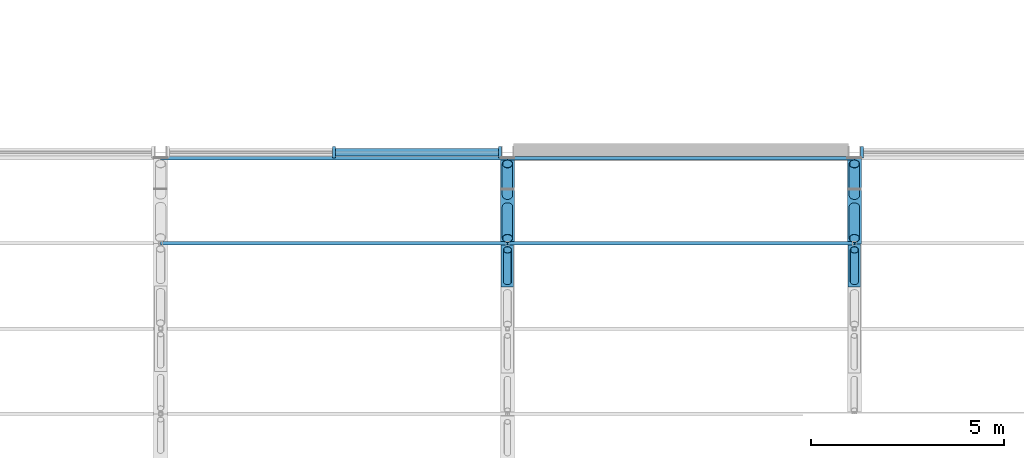
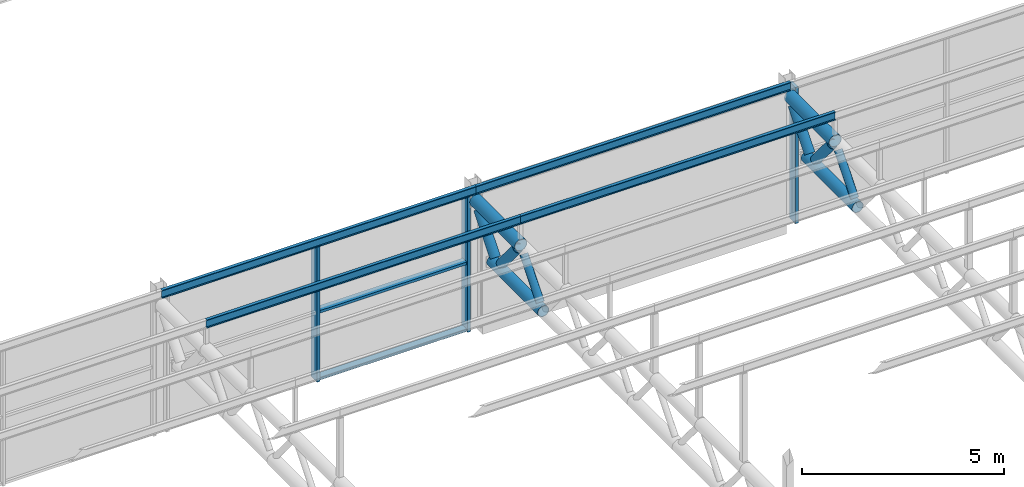
# One storey, part 56 of 138: 20 members, 2 elements without a shape of their own.
"""IFC4 building model written with IfcOpenShell, lengths in metres."""

from ifc_helpers import new_model, si_unit, direction, frame, origin, origin_2d, place, context, subcontext, project, spatial, rectangle, hollow_circle, i_section, extrude, material, layer, layer_set, material_profile, profile_set, type_object, element, aggregate, save


model = new_model("IFC4")

# Units and contexts
model_context = context("Model", 3, precision=1e-05, world=origin(), true_north=direction((0.0, 1.0)))
body_context = subcontext(model_context, "Body", "Model", "MODEL_VIEW")
ifc_project = project(units=[si_unit("LENGTHUNIT", "METRE"), si_unit("AREAUNIT", "SQUARE_METRE"), si_unit("VOLUMEUNIT", "CUBIC_METRE"), si_unit("PLANEANGLEUNIT", "RADIAN"), si_unit("MASSUNIT", "GRAM", prefix="KILO")], contexts=[model_context])

# Site, building, storey
site_placement = place(None, origin())
site = spatial("IfcSite", under=ifc_project, at=site_placement, CompositionType="ELEMENT")
building_placement = place(site_placement, origin())
building = spatial("IfcBuilding", under=site, at=building_placement, Name="Corbel Yard City Hall", CompositionType="ELEMENT")
storey_placement = place(building_placement, frame((0.0, 0.0, 10.5)))
storey = spatial("IfcBuildingStorey", under=building, at=storey_placement, Name="L02", CompositionType="ELEMENT", Elevation=10.5)

# Members
ifc_material_1 = material(Name="Steel Grade 300 (300 MPa yield)", Category="steel")
ifc_material_profile_1 = material_profile(ifc_material_1, i_section(OverallWidth=0.090087890625, OverallDepth=0.25, WebThickness=0.008056640625, FlangeThickness=0.014892578125, at=origin_2d()), Name="250PFC")
ifc_profile_set_1 = profile_set([ifc_material_profile_1], Name="Steel Grade 300 (300 MPa yield)")
member_type_1 = type_object("IfcMemberType", Name="Eaves purlin 250PFC", PredefinedType="PURLIN", material=ifc_profile_set_1)
for number, where, z_axis, x_axis, name in (
    (1, (108.0, 26.847412109375, 4.24658203125), (1.0, 0.0, 0.0), (0.0, 1.0, 0.0), "Eaves purlin 250PFC PU2"),
    (2, (117.0, 26.847412109375, 4.24658203125), (1.0, 0.0, 0.0), (0.0, 1.0, 0.0), "Eaves purlin 250PFC PU2"),
):
    element("IfcMember", number, at=place(storey_placement, frame(where, z_axis=z_axis, x_axis=x_axis)), inside=storey, type_object=member_type_1, Name=name, PredefinedType="PURLIN", context=body_context, shape_type="SweptSolid", body=[
        extrude(i_section(OverallWidth=0.090087890625, OverallDepth=0.25, WebThickness=0.008056640625, FlangeThickness=0.014892578125, at=origin_2d()), origin(), (0.0, 0.0, 1.0), 9.0),
    ])
ifc_material_2 = material(Name="Steel Grade C350L0", Category="steel")
ifc_material_profile_2 = material_profile(ifc_material_2, hollow_circle(Radius=0.161865234375, WallThickness=0.0126953125, at=origin_2d()), Name="323.9x12.7CHS")
ifc_profile_set_2 = profile_set([ifc_material_profile_2], Name="Steel Grade C350L0")
member_type_2 = type_object("IfcMemberType", Name="Hall roof truss bottom chord 323.9x12.7CHS", PredefinedType="CHORD", material=ifc_profile_set_2)
for number, where, z_axis, x_axis, name in (
    (3, (117.0, 23.5009765625, 2.59228515625), (0.0, 1.0, 0.0), (-1.0, 0.0, 0.0), "Hall roof truss bottom chord 323.9x12.7CHS TC2"),
    (4, (126.0, 23.5009765625, 2.59228515625), (0.0, 1.0, 0.0), (-1.0, 0.0, 0.0), "Hall roof truss bottom chord 323.9x12.7CHS TC2"),
):
    element("IfcMember", number, at=place(storey_placement, frame(where, z_axis=z_axis, x_axis=x_axis)), inside=storey, type_object=member_type_2, Name=name, PredefinedType="CHORD", context=body_context, shape_type="SweptSolid", body=[
        extrude(hollow_circle(Radius=0.161865234375, WallThickness=0.0126953125, at=origin_2d()), origin(), (0.0, 0.0, 1.0), 2.531005859375),
    ])
ifc_material_profile_3 = material_profile(ifc_material_2, hollow_circle(Radius=0.109619140625, WallThickness=0.00830078125, at=origin_2d()), Name="219.1x8.2CHS")
ifc_profile_set_3 = profile_set([ifc_material_profile_3], Name="Steel Grade C350L0")
member_type_3 = type_object("IfcMemberType", Name="Hall roof truss diagonal 219.1x8.2CHS", PredefinedType="STRUT", material=ifc_profile_set_3)
for number, where, z_axis, x_axis, name in (
    (5, (117.0, 23.650146484375, 2.77001953125), (0.0, 0.642692233301, 0.766124463292), (-1.0, 0.0, 0.0), "Hall roof truss diagonal 219.1x8.2CHS TD2"),
    (6, (126.0, 23.650146484375, 2.77001953125), (0.0, 0.642692233301, 0.766124463292), (-1.0, 0.0, 0.0), "Hall roof truss diagonal 219.1x8.2CHS TD2"),
):
    element("IfcMember", number, at=place(storey_placement, frame(where, z_axis=z_axis, x_axis=x_axis)), inside=storey, type_object=member_type_3, Name=name, PredefinedType="STRUT", context=body_context, shape_type="SweptSolid", body=[
        extrude(hollow_circle(Radius=0.109619140625, WallThickness=0.00830078125, at=origin_2d()), origin(), (0.0, 0.0, 1.0), 1.271728515625),
    ])
ifc_material_profile_4 = material_profile(ifc_material_2, hollow_circle(Radius=0.136474609375, WallThickness=0.00927734375, at=origin_2d()), Name="273.1x9.3CHS")
ifc_profile_set_4 = profile_set([ifc_material_profile_4], Name="Steel Grade C350L0")
member_type_4 = type_object("IfcMemberType", Name="Hall roof truss diagonal 273.1x9.3CHS", PredefinedType="STRUT", material=ifc_profile_set_4)
for number, where, z_axis, x_axis, name in (
    (7, (117.0, 24.765625, 3.744384765625), (0.0, 0.642692233301, -0.766124463292), (-1.0, 0.0, 0.0), "Hall roof truss diagonal 273.1x9.3CHS TD1"),
    (8, (117.0, 25.881103515625, 2.77001953125), (0.0, 0.642692233301, 0.766124463292), (-1.0, 0.0, 0.0), "Hall roof truss diagonal 273.1x9.3CHS TD1"),
    (9, (126.0, 24.765625, 3.744384765625), (0.0, 0.642692233301, -0.766124463292), (-1.0, 0.0, 0.0), "Hall roof truss diagonal 273.1x9.3CHS TD1"),
    (10, (126.0, 25.881103515625, 2.77001953125), (0.0, 0.642692233301, 0.766124463292), (-1.0, 0.0, 0.0), "Hall roof truss diagonal 273.1x9.3CHS TD1"),
):
    element("IfcMember", number, at=place(storey_placement, frame(where, z_axis=z_axis, x_axis=x_axis)), inside=storey, type_object=member_type_4, Name=name, PredefinedType="STRUT", context=body_context, shape_type="SweptSolid", body=[
        extrude(hollow_circle(Radius=0.136474609375, WallThickness=0.00927734375, at=origin_2d()), origin(), (0.0, 0.0, 1.0), 1.271728515625),
    ])
ifc_material_profile_5 = material_profile(ifc_material_2, hollow_circle(Radius=0.177734375, WallThickness=0.0126953125, at=origin_2d()), Name="355.6x12.7CHS")
ifc_profile_set_5 = profile_set([ifc_material_profile_5], Name="Steel Grade C350L0")
member_type_5 = type_object("IfcMemberType", Name="Hall roof truss top chord 355.6x12.7CHS", PredefinedType="CHORD", material=ifc_profile_set_5)
for number, where, z_axis, x_axis, name in (
    (11, (117.0, 24.616455078125, 3.922119140625), (0.0, 1.0, 0.0), (-1.0, 0.0, 0.0), "Hall roof truss top chord 355.6x12.7CHS TC1"),
    (12, (126.0, 24.616455078125, 3.922119140625), (0.0, 1.0, 0.0), (-1.0, 0.0, 0.0), "Hall roof truss top chord 355.6x12.7CHS TC1"),
):
    element("IfcMember", number, at=place(storey_placement, frame(where, z_axis=z_axis, x_axis=x_axis)), inside=storey, type_object=member_type_5, Name=name, PredefinedType="CHORD", context=body_context, shape_type="SweptSolid", body=[
        extrude(hollow_circle(Radius=0.177734375, WallThickness=0.0126953125, at=origin_2d()), origin(), (0.0, 0.0, 1.0), 2.23095703125),
    ])

# Curtain wall, members
ifc_material_3 = material(Name="Aluminium extrusion", Category="aluminium")
ifc_layer = layer(ifc_material_3, 0.300048828125)
ifc_layer_set = layer_set([ifc_layer], Name="Aluminium extrusion")
curtain_wall_type = type_object("IfcCurtainWallType", Name="CW7", PredefinedType="USERDEFINED", material=ifc_layer_set)
curtain_wall_1_placement = place(storey_placement, origin())
curtain_wall_1 = element("IfcCurtainWall", 13, at=curtain_wall_1_placement, inside=storey, type_object=curtain_wall_type, Name="Curtain wall CW7 L02", ObjectType="CURTAIN WALL", PredefinedType="USERDEFINED")
ifc_material_profile_6 = material_profile(ifc_material_3, rectangle(XDim=0.300048828125, YDim=0.080078125, at=origin_2d()), Name="300x80")
ifc_profile_set_6 = profile_set([ifc_material_profile_6], Name="Aluminium extrusion")
member_type_6 = type_object("IfcMemberType", Name="ML7", PredefinedType="MULLION", material=ifc_profile_set_6)
member_1_placement = place(storey_placement, frame((112.5, 27.0, 0.0), z_axis=(0.0, 0.0, 1.0), x_axis=(0.0, 1.0, 0.0)))
member_1 = element("IfcMember", 14, at=member_1_placement, type_object=member_type_6, Name="CW7 mullion 2", PredefinedType="MULLION", context=body_context, shape_type="SweptSolid", body=[
    extrude(rectangle(XDim=0.300048828125, YDim=0.080078125, at=origin_2d()), origin(), (0.0, 0.0, 1.0), 4.12158203125),
])
member_2_placement = place(storey_placement, frame((116.805908203125, 27.0, 0.0), z_axis=(0.0, 0.0, 1.0), x_axis=(0.0, 1.0, 0.0)))
member_2 = element("IfcMember", 15, at=member_2_placement, type_object=member_type_6, Name="CW7 mullion 3", PredefinedType="MULLION", context=body_context, shape_type="SweptSolid", body=[
    extrude(rectangle(XDim=0.300048828125, YDim=0.080078125, at=origin_2d()), origin(), (0.0, 0.0, 1.0), 4.12158203125),
])

# Curtain wall, member
curtain_wall_2_placement = place(storey_placement, origin())
curtain_wall_2 = element("IfcCurtainWall", 16, at=curtain_wall_2_placement, inside=storey, type_object=curtain_wall_type, Name="Curtain wall CW7 L02", ObjectType="CURTAIN WALL", PredefinedType="USERDEFINED")
member_3_placement = place(storey_placement, frame((126.194091796875, 27.0, 0.0), z_axis=(0.0, 0.0, 1.0), x_axis=(0.0, 1.0, 0.0)))
member_3 = element("IfcMember", 17, at=member_3_placement, type_object=member_type_6, Name="CW7 mullion 1", PredefinedType="MULLION", context=body_context, shape_type="SweptSolid", body=[
    extrude(rectangle(XDim=0.300048828125, YDim=0.080078125, at=origin_2d()), origin(), (0.0, 0.0, 1.0), 4.12158203125),
])
aggregate(curtain_wall_2, [member_3])

# Members
ifc_material_profile_7 = material_profile(ifc_material_1, i_section(OverallWidth=0.090087890625, OverallDepth=0.25, WebThickness=0.008056640625, FlangeThickness=0.014892578125, at=origin_2d()), Name="250PFC")
ifc_profile_set_7 = profile_set([ifc_material_profile_7], Name="Steel Grade 300 (300 MPa yield)")
member_type_7 = type_object("IfcMemberType", Name="Purlin 250PFC", PredefinedType="PURLIN", material=ifc_profile_set_7)
for number, where, z_axis, x_axis, name in (
    (18, (108.0, 24.6357421875, 4.68896484375), (1.0, 0.0, 0.0), (0.0, 1.0, 0.0), "Purlin 250PFC PU1"),
    (19, (117.0, 24.6357421875, 4.68896484375), (1.0, 0.0, 0.0), (0.0, 1.0, 0.0), "Purlin 250PFC PU1"),
):
    element("IfcMember", number, at=place(storey_placement, frame(where, z_axis=z_axis, x_axis=x_axis)), inside=storey, type_object=member_type_7, Name=name, PredefinedType="PURLIN", context=body_context, shape_type="SweptSolid", body=[
        extrude(i_section(OverallWidth=0.090087890625, OverallDepth=0.25, WebThickness=0.008056640625, FlangeThickness=0.014892578125, at=origin_2d()), origin(), (0.0, 0.0, 1.0), 9.0),
    ])

# Member
ifc_material_profile_8 = material_profile(ifc_material_3, rectangle(XDim=0.199951171875, YDim=0.080078125, at=origin_2d()), Name="200x80")
ifc_profile_set_8 = profile_set([ifc_material_profile_8], Name="Aluminium extrusion")
member_type_8 = type_object("IfcMemberType", Name="TR7", PredefinedType="USERDEFINED", material=ifc_profile_set_8)
member_4_placement = place(storey_placement, frame((112.5400390625, 27.0, 0.0400390625), z_axis=(1.0, 0.0, 0.0), x_axis=(0.0, 1.0, 0.0)))
member_4 = element("IfcMember", 20, at=member_4_placement, type_object=member_type_8, Name="CW7 transom 2.1", ObjectType="TRANSOM", PredefinedType="USERDEFINED", context=body_context, shape_type="SweptSolid", body=[
    extrude(rectangle(XDim=0.199951171875, YDim=0.080078125, at=origin_2d()), origin(), (0.0, 0.0, 1.0), 4.22607421875),
])

member_5_placement = place(storey_placement, frame((112.5400390625, 27.0, 2.060791015625), z_axis=(1.0, 0.0, 0.0), x_axis=(0.0, 1.0, 0.0)))
member_5 = element("IfcMember", 21, at=member_5_placement, type_object=member_type_8, Name="CW7 transom 2.2", ObjectType="TRANSOM", PredefinedType="USERDEFINED", context=body_context, shape_type="SweptSolid", body=[
    extrude(rectangle(XDim=0.199951171875, YDim=0.080078125, at=origin_2d()), origin(), (0.0, 0.0, 1.0), 4.22607421875),
])

member_6_placement = place(storey_placement, frame((112.5400390625, 27.0, 4.08154296875), z_axis=(1.0, 0.0, 0.0), x_axis=(0.0, 1.0, 0.0)))
member_6 = element("IfcMember", 22, at=member_6_placement, type_object=member_type_8, Name="CW7 transom 2.3", ObjectType="TRANSOM", PredefinedType="USERDEFINED", context=body_context, shape_type="SweptSolid", body=[
    extrude(rectangle(XDim=0.199951171875, YDim=0.080078125, at=origin_2d()), origin(), (0.0, 0.0, 1.0), 4.22607421875),
])

aggregate(curtain_wall_1, [member_1, member_2, member_4, member_5, member_6])

save(model, "model.ifc")
